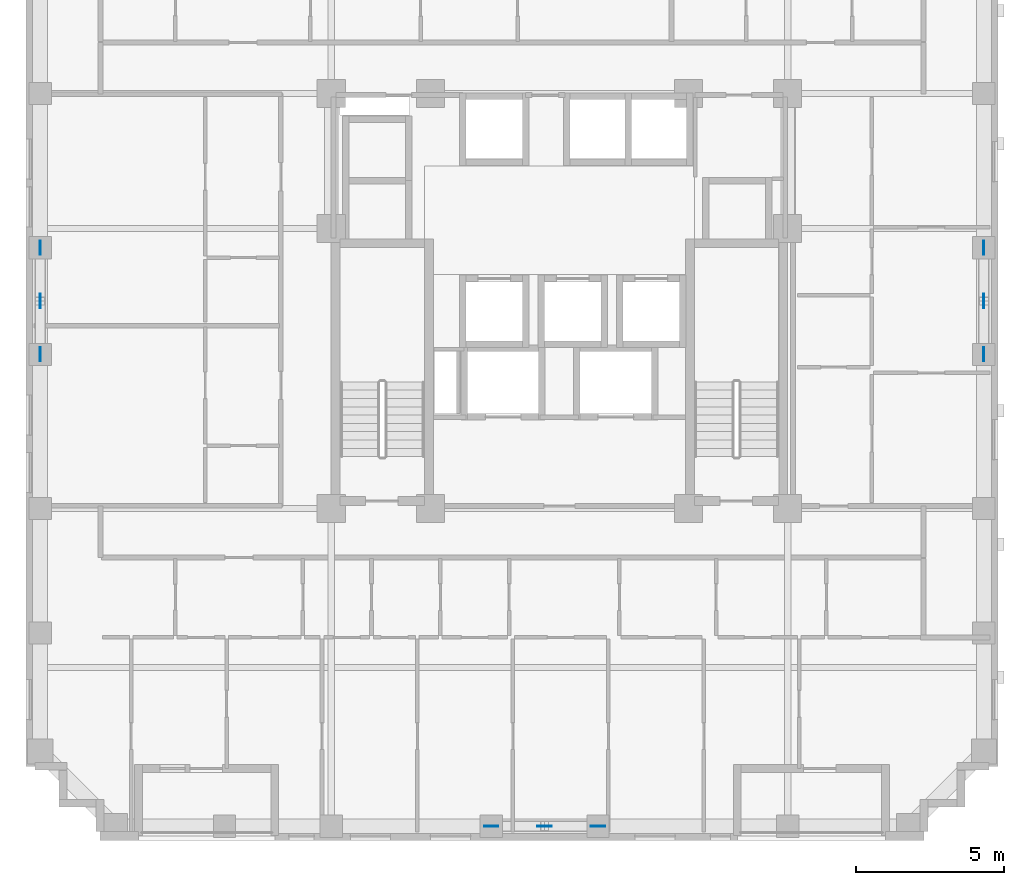
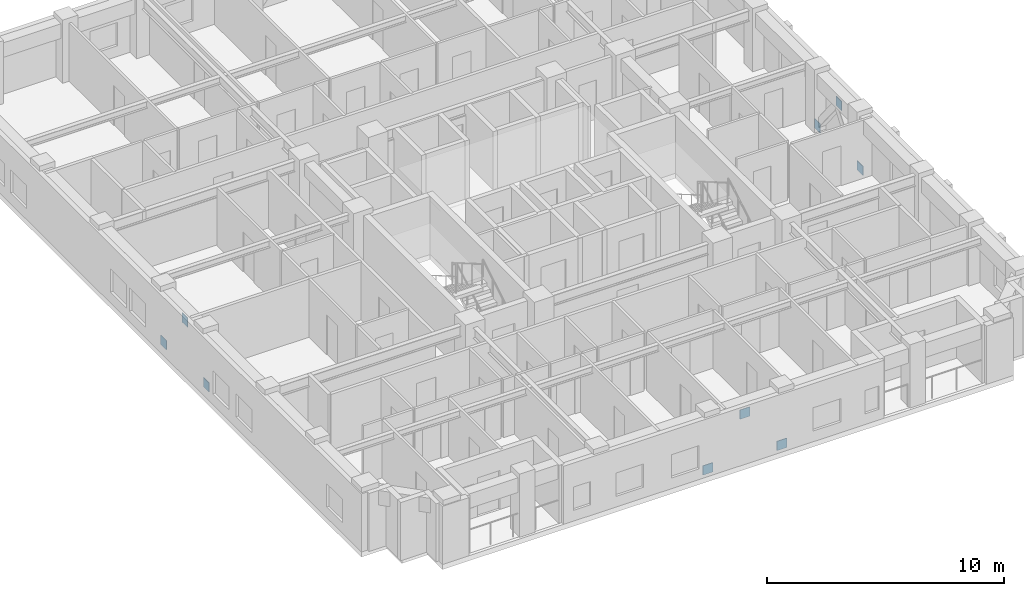
# One storey, part 9 of 12: 9 discrete accessories.
"""IFC4 building model written with IfcOpenShell, lengths in metres."""

from ifc_helpers import new_model, si_unit, derived_unit, direction, frame, origin, origin_2d, place, context, subcontext, project, spatial, rectangle, extrude, material, layer, layer_set, type_object, element, save


model = new_model("IFC4")

# Units and contexts
model_context = context("Model", 3, precision=1e-05, world=origin(), true_north=direction((0.0, 1.0)))
body_context = subcontext(model_context, "Body", "Model", "MODEL_VIEW")
ifc_project = project(units=[si_unit("LENGTHUNIT", "METRE"), si_unit("AREAUNIT", "SQUARE_METRE"), si_unit("VOLUMEUNIT", "CUBIC_METRE"), si_unit("PLANEANGLEUNIT", "RADIAN"), si_unit("MASSUNIT", "GRAM", prefix="KILO"), derived_unit("THERMALTRANSMITTANCEUNIT", [(si_unit("MASSUNIT", "GRAM", prefix="KILO"), 1), (si_unit("TIMEUNIT", "SECOND"), -3), (si_unit("THERMODYNAMICTEMPERATUREUNIT", "KELVIN"), -1)])], contexts=[model_context])

# Site, building, storey
site_placement = place(None, origin())
site = spatial("IfcSite", under=ifc_project, at=site_placement, CompositionType="ELEMENT")
building_placement = place(site_placement, origin())
building = spatial("IfcBuilding", under=site, at=building_placement, Name="Korrvale Station Residences", CompositionType="ELEMENT")
storey_placement = place(building_placement, frame((0.0, 0.0, 127.64990234375)))
storey = spatial("IfcBuildingStorey", under=building, at=storey_placement, Name="L36", CompositionType="ELEMENT", Elevation=127.64990234375)

# Discrete accessories
ifc_material = material(Name="Steel S355", Category="steel")
ifc_layer = layer(ifc_material, 0.02490234375, Name="Steel S355")
ifc_layer_set = layer_set([ifc_layer], Name="Steel S355")
discrete_accessory_type = type_object("IfcDiscreteAccessoryType", Name="ACC-GUSSET-25", PredefinedType="BRACKET", material=ifc_layer_set)
for number, where, z_axis, x_axis, name in (
    (1, (23.199951171875, 4.280029296875, -0.219970703125), (0.0, 0.0, 1.0), (1.0, 0.0, 0.0), "L36 S Brace End Gusset Connection A"),
    (2, (26.800048828125, 4.280029296875, -0.219970703125), (0.0, 0.0, 1.0), (1.0, 0.0, 0.0), "L36 S Brace End Gusset Connection B"),
    (3, (25.0, 4.280029296875, 2.02001953125), (0.0, 0.0, 1.0), (1.0, 0.0, 0.0), "L36 S Brace End Gusset Connection M"),
    (4, (7.97998046875, 20.199951171875, -0.219970703125), (0.0, 0.0, 1.0), (0.0, 1.0, 0.0), "L36 W Brace End Gusset Connection A"),
    (5, (7.97998046875, 23.800048828125, -0.219970703125), (0.0, 0.0, 1.0), (0.0, 1.0, 0.0), "L36 W Brace End Gusset Connection B"),
    (6, (7.97998046875, 22.0, 2.02001953125), (0.0, 0.0, 1.0), (0.0, 1.0, 0.0), "L36 W Brace End Gusset Connection M"),
    (7, (39.820068359375, 20.199951171875, -0.219970703125), (0.0, 0.0, 1.0), (0.0, 1.0, 0.0), "L36 E Brace End Gusset Connection A"),
    (8, (39.820068359375, 23.800048828125, -0.219970703125), (0.0, 0.0, 1.0), (0.0, 1.0, 0.0), "L36 E Brace End Gusset Connection B"),
    (9, (39.820068359375, 22.0, 2.02001953125), (0.0, 0.0, 1.0), (0.0, 1.0, 0.0), "L36 E Brace End Gusset Connection M"),
):
    element("IfcDiscreteAccessory", number, at=place(storey_placement, frame(where, z_axis=z_axis, x_axis=x_axis)), inside=storey, type_object=discrete_accessory_type, Name=name, PredefinedType="BRACKET", context=body_context, shape_type="SweptSolid", body=[
        extrude(rectangle(XDim=0.47998046875, YDim=0.02490234375, at=origin_2d()), origin(), (0.0, 0.0, 1.0), 0.47998046875),
    ])

save(model, "model.ifc")
